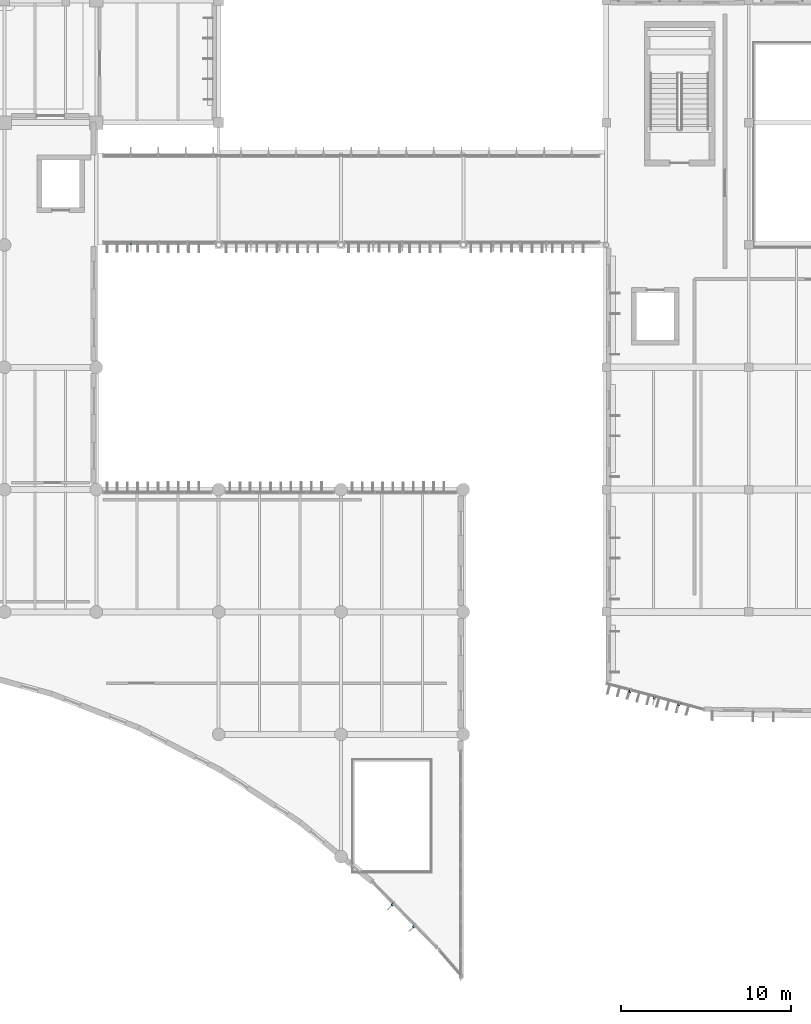
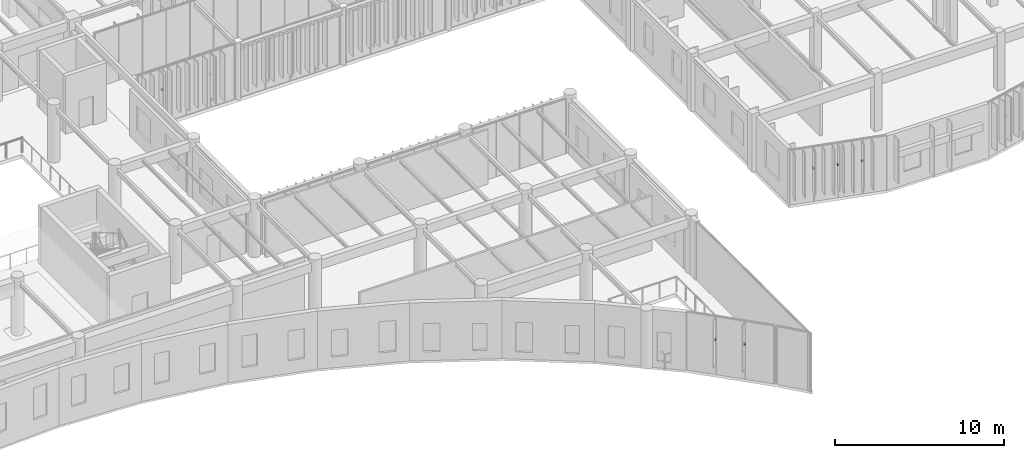
# One storey, part 54 of 122: 6 discrete accessories.
"""IFC4 building model written with IfcOpenShell, lengths in metres."""

from ifc_helpers import new_model, si_unit, direction, frame, origin, origin_2d, place, context, subcontext, project, spatial, rectangle, extrude, material, type_object, element, save


model = new_model("IFC4")

# Units and contexts
model_context = context("Model", 3, precision=1e-05, world=origin(), true_north=direction((0.0, 1.0)))
body_context = subcontext(model_context, "Body", "Model", "MODEL_VIEW")
ifc_project = project(units=[si_unit("LENGTHUNIT", "METRE"), si_unit("AREAUNIT", "SQUARE_METRE"), si_unit("VOLUMEUNIT", "CUBIC_METRE"), si_unit("PLANEANGLEUNIT", "RADIAN"), si_unit("MASSUNIT", "GRAM", prefix="KILO")], contexts=[model_context])

# Site, building, storey
site_placement = place(None, origin())
site = spatial("IfcSite", under=ifc_project, at=site_placement, CompositionType="ELEMENT")
building_placement = place(site_placement, origin())
building = spatial("IfcBuilding", under=site, at=building_placement, Name="Tazoul Stagehouse", CompositionType="ELEMENT")
storey_placement = place(building_placement, frame((0.0, 0.0, 4.800048828125)))
storey = spatial("IfcBuildingStorey", under=building, at=storey_placement, Name="L01", CompositionType="ELEMENT", Elevation=4.800048828125)

# Discrete accessories
ifc_material = material(Name="Austenitic Stainless Steel EN 1.4401", Category="steel")
discrete_accessory_type = type_object("IfcDiscreteAccessoryType", Name="Stainless Steel Louvre Support Cleat Bracket", PredefinedType="BRACKET", material=ifc_material)
for number, where, z_axis, x_axis, name in (
    (1, (112.8427734375, 5.774658203125, 2.473388671875), (0.0, 0.0, 1.0), (0.700246698398, -0.713900946479, 0.0), "Cleat Bracket BRK-01 CW-V5-CRN-L01-C17-BRK01"),
    (2, (114.100830078125, 4.4921875, 2.473388671875), (0.0, 0.0, 1.0), (0.700246698398, -0.713900946479, 0.0), "Cleat Bracket BRK-01 CW-V5-CRN-L01-C17-BRK02"),
    (3, (126.819091796875, 18.33984375, 2.3486328125), (0.0, 0.0, 1.0), (0.966413318036, -0.256992798969, 0.0), "Cleat Bracket BRK-01 CW-V4-DRUM-L01-S01-BRK01"),
    (4, (128.2587890625, 17.95703125, 2.3486328125), (0.0, 0.0, 1.0), (0.966413318036, -0.256992798969, 0.0), "Cleat Bracket BRK-01 CW-V4-DRUM-L01-S01-BRK02"),
    (5, (129.698486328125, 17.57421875, 2.3486328125), (0.0, 0.0, 1.0), (0.966413318036, -0.256992798969, 0.0), "Cleat Bracket BRK-01 CW-V4-DRUM-L01-S01-BRK03"),
    (6, (97.447021484375, 44.669921875, 2.3486328125), (0.0, 0.0, 1.0), (1.0, 0.0, 0.0), "Cleat Bracket BRK-01 CW-ELNK-S-L01-B1-BRK01"),
):
    element("IfcDiscreteAccessory", number, at=place(storey_placement, frame(where, z_axis=z_axis, x_axis=x_axis)), inside=storey, type_object=discrete_accessory_type, Name=name, PredefinedType="BRACKET", context=body_context, shape_type="SweptSolid", body=[
        extrude(rectangle(XDim=0.1201171875, YDim=0.159912109375, at=origin_2d()), origin(), (0.0, 0.0, 1.0), 0.1201171875),
    ])

save(model, "model.ifc")
